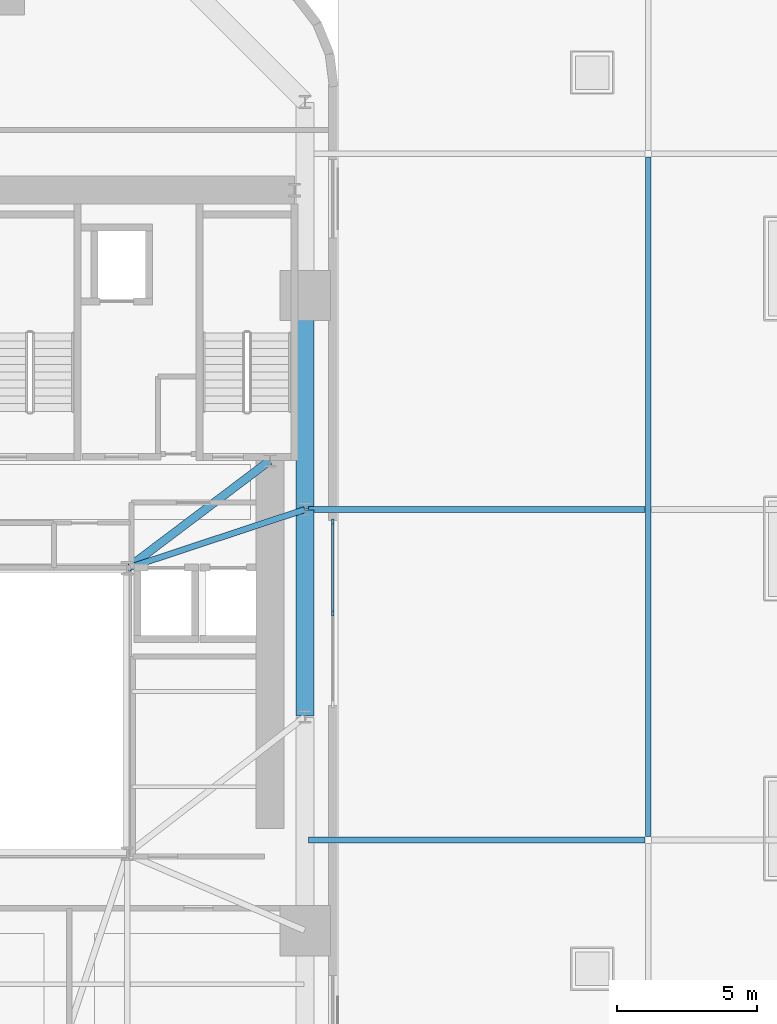
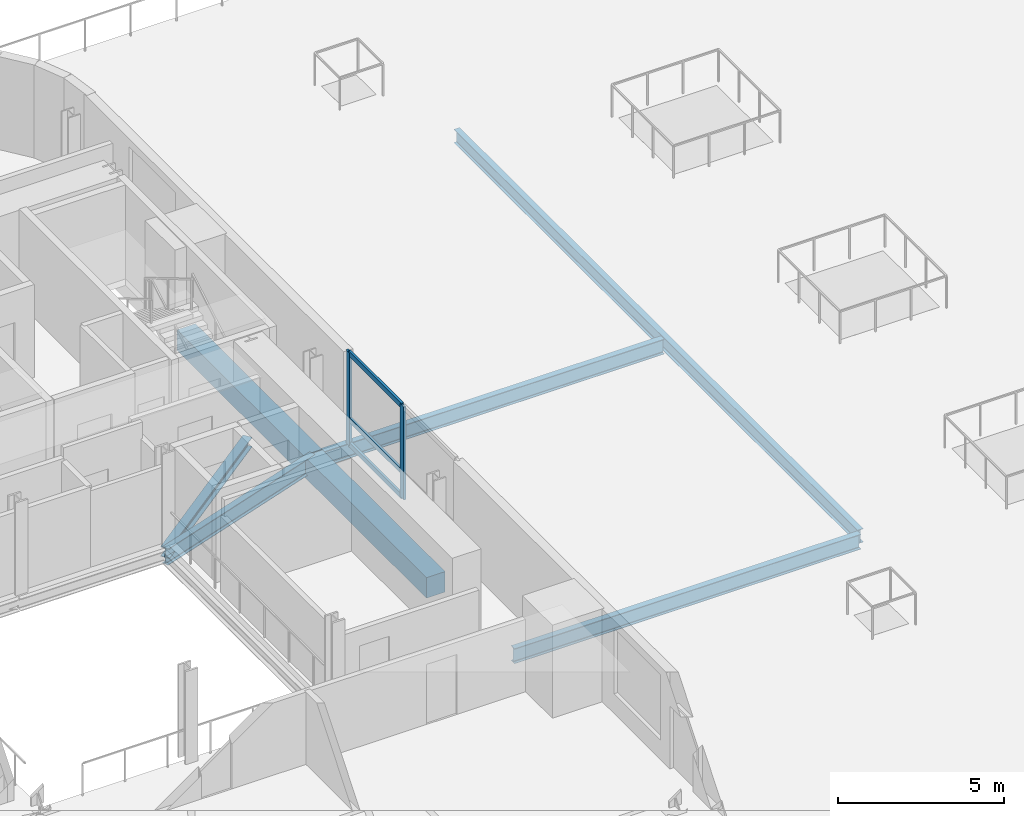
# One storey, part 5 of 18: 7 beams, 5 members, 1 element without a shape of its own.
"""IFC4 building model written with IfcOpenShell, lengths in metres."""

from ifc_helpers import new_model, si_unit, direction, frame, origin, origin_2d, place, context, subcontext, project, spatial, rectangle, i_section, extrude, source, transform, mapped, material, material_profile, profile_set, type_object, element, aggregate, save


model = new_model("IFC4")

# Units and contexts
model_context = context("Model", 3, precision=1e-05, world=origin(), true_north=direction((0.0, 1.0)))
body_context = subcontext(model_context, "Body", "Model", "MODEL_VIEW")
ifc_project = project(units=[si_unit("LENGTHUNIT", "METRE"), si_unit("AREAUNIT", "SQUARE_METRE"), si_unit("VOLUMEUNIT", "CUBIC_METRE"), si_unit("PLANEANGLEUNIT", "RADIAN"), si_unit("MASSUNIT", "GRAM", prefix="KILO")], contexts=[model_context])

# Site, building, storey
site_placement = place(None, origin())
site = spatial("IfcSite", under=ifc_project, at=site_placement, CompositionType="ELEMENT")
building_placement = place(site_placement, origin())
building = spatial("IfcBuilding", under=site, at=building_placement, Name="Vardaveli Station Tower", CompositionType="ELEMENT")
storey_placement = place(building_placement, frame((0.0, 0.0, 27.60009765625)))
storey = spatial("IfcBuildingStorey", under=building, at=storey_placement, Name="L06", CompositionType="ELEMENT", Elevation=27.60009765625)

# Beams
ifc_material_1 = material(Name="Structural steel S355J2", Category="steel")
ifc_material_profile_1 = material_profile(ifc_material_1, i_section(OverallWidth=0.2099609375, OverallDepth=0.550048828125, WebThickness=0.010986328125, FlangeThickness=0.01708984375, FilletRadius=0.02392578125, at=origin_2d()), Name="IPE 550")
ifc_profile_set_1 = profile_set([ifc_material_profile_1], Name="Structural steel S355J2")
beam_type_1 = type_object("IfcBeamType", Name="BM-IPE550", PredefinedType="BEAM", material=ifc_profile_set_1)
shared_shape_1 = source(origin(), body_context, "Body", "SweptSolid", [
    extrude(i_section(OverallWidth=0.2099609375, OverallDepth=0.550048828125, WebThickness=0.010986328125, FlangeThickness=0.01708984375, FilletRadius=0.02392578125, at=origin_2d()), origin(), (0.0, 0.0, 1.0), 12.009765625),
])
for number, where, z_axis, x_axis, name in (
    (1, (47.8701171875, 17.10009765625, -0.53515625), (1.0, 0.0, 0.0), (0.0, 1.0, 0.0), "PRB-L06-EW2-47"),
    (2, (47.8701171875, 28.89990234375, -0.53515625), (1.0, 0.0, 0.0), (0.0, 1.0, 0.0), "PRB-L06-EW3-47"),
):
    element("IfcBeam", number, at=place(storey_placement, frame(where, z_axis=z_axis, x_axis=x_axis)), inside=storey, type_object=beam_type_1, Name=name, PredefinedType="BEAM", context=body_context, shape_type="MappedRepresentation", body=[
        mapped(shared_shape_1, transform((0.0, 0.0, 0.0), scale=1.0)),
    ])
ifc_material_profile_2 = material_profile(ifc_material_1, i_section(OverallWidth=0.199951171875, OverallDepth=0.5, WebThickness=0.01025390625, FlangeThickness=0.01611328125, FilletRadius=0.02099609375, at=origin_2d()), Name="IPE 500")
ifc_profile_set_2 = profile_set([ifc_material_profile_2], Name="Structural steel S355J2")
beam_type_2 = type_object("IfcBeamType", Name="BM-IPE500", PredefinedType="BEAM", material=ifc_profile_set_2)
shared_shape_2 = source(origin(), body_context, "Body", "SweptSolid", [
    extrude(i_section(OverallWidth=0.199951171875, OverallDepth=0.5, WebThickness=0.01025390625, FlangeThickness=0.01611328125, FilletRadius=0.02099609375, at=origin_2d()), origin(), (0.0, 0.0, 1.0), 24.260009765625),
])
beam_1_placement = place(storey_placement, frame((60.0, 17.219970703125, -0.510009765625), z_axis=(0.0, 1.0, 0.0), x_axis=(-1.0, 0.0, 0.0)))
element("IfcBeam", 3, at=beam_1_placement, inside=storey, type_object=beam_type_2, Name="PRB-L06-NS60-2", PredefinedType="BEAM", context=body_context, shape_type="MappedRepresentation", body=[
    mapped(shared_shape_2, transform((0.0, 0.0, 0.0), scale=1.0)),
])
ifc_material_profile_3 = material_profile(ifc_material_1, i_section(OverallWidth=0.300048828125, OverallDepth=0.360107421875, WebThickness=0.012451171875, FlangeThickness=0.0224609375, FilletRadius=0.027099609375, at=origin_2d()), Name="HEB 360")
ifc_profile_set_3 = profile_set([ifc_material_profile_3], Name="Structural steel S355J2")
beam_type_3 = type_object("IfcBeamType", Name="BM-HEB360", PredefinedType="BEAM", material=ifc_profile_set_3)
shared_shape_3 = source(origin(), body_context, "Body", "SweptSolid", [
    extrude(i_section(OverallWidth=0.300048828125, OverallDepth=0.360107421875, WebThickness=0.012451171875, FlangeThickness=0.0224609375, FilletRadius=0.027099609375, at=origin_2d()), origin(), (0.0, 0.0, 1.0), 6.35009765625),
])
beam_2_placement = place(storey_placement, frame((41.416015625, 26.81201171875, -0.420166015625), z_axis=(0.798118337722, 0.602500721154, 0.0), x_axis=(-0.602500721154, 0.798118337722, 0.0)))
element("IfcBeam", 4, at=beam_2_placement, inside=storey, type_object=beam_type_3, Name="CBM-L06-02", PredefinedType="BEAM", context=body_context, shape_type="MappedRepresentation", body=[
    mapped(shared_shape_3, transform((0.0, 0.0, 0.0), scale=1.0)),
])
ifc_material_2 = material(Name="Precast concrete C45/55", Category="concrete")
ifc_material_profile_4 = material_profile(ifc_material_2, rectangle(XDim=0.64990234375, YDim=0.75, at=origin_2d()), Name="LPB 650x750")
ifc_profile_set_4 = profile_set([ifc_material_profile_4], Name="Precast concrete C45/55")
beam_type_4 = type_object("IfcBeamType", Name="BM-LPB-750", PredefinedType="BEAM", material=ifc_profile_set_4)
shared_shape_4 = source(origin(), body_context, "Body", "SweptSolid", [
    extrude(rectangle(XDim=0.64990234375, YDim=0.75, at=origin_2d()), origin(), (0.0, 0.0, 1.0), 7.60009765625),
])
beam_3_placement = place(storey_placement, frame((47.75, 28.919921875, -0.614990234375), z_axis=(0.0, 1.0, 0.0), x_axis=(-1.0, 0.0, 0.0)))
element("IfcBeam", 5, at=beam_3_placement, inside=storey, type_object=beam_type_4, Name="RBM-L06-09", PredefinedType="BEAM", context=body_context, shape_type="MappedRepresentation", body=[
    mapped(shared_shape_4, transform((0.0, 0.0, 0.0), scale=1.0)),
])
shared_shape_5 = source(origin(), body_context, "Body", "SweptSolid", [
    extrude(rectangle(XDim=0.64990234375, YDim=0.75, at=origin_2d()), origin(), (0.0, 0.0, 1.0), 7.35986328125),
])
beam_4_placement = place(storey_placement, frame((47.75, 21.52001953125, -0.614990234375), z_axis=(0.0, 1.0, 0.0), x_axis=(-1.0, 0.0, 0.0)))
element("IfcBeam", 6, at=beam_4_placement, inside=storey, type_object=beam_type_4, Name="RBM-L06-08", PredefinedType="BEAM", context=body_context, shape_type="MappedRepresentation", body=[
    mapped(shared_shape_5, transform((0.0, 0.0, 0.0), scale=1.0)),
])
ifc_material_profile_5 = material_profile(ifc_material_1, i_section(OverallWidth=0.219970703125, OverallDepth=0.60009765625, WebThickness=0.011962890625, FlangeThickness=0.01904296875, FilletRadius=0.02392578125, at=origin_2d()), Name="IPE 600")
ifc_profile_set_5 = profile_set([ifc_material_profile_5], Name="Structural steel S355J2")
beam_type_5 = type_object("IfcBeamType", Name="BM-IPE600", PredefinedType="BEAM", material=ifc_profile_set_5)
shared_shape_6 = source(origin(), body_context, "Body", "SweptSolid", [
    extrude(i_section(OverallWidth=0.219970703125, OverallDepth=0.60009765625, WebThickness=0.011962890625, FlangeThickness=0.01904296875, FilletRadius=0.02392578125, at=origin_2d()), origin(), (0.0, 0.0, 1.0), 6.648193359375),
])
beam_5_placement = place(storey_placement, frame((47.73095703125, 28.893798828125, -0.5400390625), z_axis=(-0.949429779906, -0.313979446824, 0.0), x_axis=(0.313979446824, -0.949429779906, 0.0)))
element("IfcBeam", 7, at=beam_5_placement, inside=storey, type_object=beam_type_5, Name="GBM-L06-07", PredefinedType="BEAM", context=body_context, shape_type="MappedRepresentation", body=[
    mapped(shared_shape_6, transform((0.0, 0.0, 0.0), scale=1.0)),
])

# Curtain wall, members
ifc_material_3 = material(Name="Travertine stone and solar-control glass", Category="masonry")
curtain_wall_type = type_object("IfcCurtainWallType", Name="CW-SYS-2", PredefinedType="NOTDEFINED", material=ifc_material_3)
curtain_wall_placement = place(storey_placement, origin())
curtain_wall = element("IfcCurtainWall", 8, at=curtain_wall_placement, inside=storey, type_object=curtain_wall_type, Name="CW-L06-E", PredefinedType="NOTDEFINED")
ifc_material_4 = material(Name="Anodised aluminium alloy 6063-T6", Category="aluminium")
ifc_material_profile_6 = material_profile(ifc_material_4, rectangle(XDim=0.0849609375, YDim=0.219970703125, at=origin_2d()), Name="CWM 85x220")
ifc_profile_set_6 = profile_set([ifc_material_profile_6], Name="Anodised aluminium alloy 6063-T6")
member_type_1 = type_object("IfcMemberType", Name="CW-SYS-2-MULL", PredefinedType="MULLION", material=ifc_profile_set_6)
shared_shape_7 = source(origin(), body_context, "Body", "SweptSolid", [
    extrude(rectangle(XDim=0.0849609375, YDim=0.219970703125, at=origin_2d()), origin(), (0.0, 0.0, 1.0), 3.409912109375),
])
member_1_placement = place(storey_placement, frame((48.739990234375, 25.199951171875, 0.0), z_axis=(0.0, 0.0, 1.0), x_axis=(-1.0, 0.0, 0.0)))
member_1 = element("IfcMember", 9, at=member_1_placement, type_object=member_type_1, Name="CW-2 mullion 2", PredefinedType="MULLION", context=body_context, shape_type="MappedRepresentation", body=[
    mapped(shared_shape_7, transform((0.0, 0.0, 0.0), scale=1.0)),
])
member_2_placement = place(storey_placement, frame((48.739990234375, 28.45751953125, 0.0), z_axis=(0.0, 0.0, 1.0), x_axis=(-1.0, 0.0, 0.0)))
member_2 = element("IfcMember", 10, at=member_2_placement, type_object=member_type_1, Name="CW-2 mullion 3", PredefinedType="MULLION", context=body_context, shape_type="MappedRepresentation", body=[
    mapped(shared_shape_7, transform((0.0, 0.0, 0.0), scale=1.0)),
])
ifc_material_profile_7 = material_profile(ifc_material_4, rectangle(XDim=0.0849609375, YDim=0.179931640625, at=origin_2d()), Name="CWT 85x180")
ifc_profile_set_7 = profile_set([ifc_material_profile_7], Name="Anodised aluminium alloy 6063-T6")
member_type_2 = type_object("IfcMemberType", Name="CW-SYS-2-TRAN", PredefinedType="NOTDEFINED", material=ifc_profile_set_7)
shared_shape_8 = source(origin(), body_context, "Body", "SweptSolid", [
    extrude(rectangle(XDim=0.0849609375, YDim=0.179931640625, at=origin_2d()), origin(), (0.0, 0.0, 1.0), 3.172607421875),
])
member_3_placement = place(storey_placement, frame((48.739990234375, 25.242431640625, 0.04248046875), z_axis=(0.0, 1.0, 0.0), x_axis=(-1.0, 0.0, 0.0)))
member_3 = element("IfcMember", 11, at=member_3_placement, type_object=member_type_2, Name="CW-2 transom 2.1", ObjectType="TRANSOM", PredefinedType="USERDEFINED", context=body_context, shape_type="MappedRepresentation", body=[
    mapped(shared_shape_8, transform((0.0, 0.0, 0.0), scale=1.0)),
])
member_4_placement = place(storey_placement, frame((48.739990234375, 25.242431640625, 0.949951171875), z_axis=(0.0, 1.0, 0.0), x_axis=(-1.0, 0.0, 0.0)))
member_4 = element("IfcMember", 12, at=member_4_placement, type_object=member_type_2, Name="CW-2 transom 2.2", ObjectType="TRANSOM", PredefinedType="USERDEFINED", context=body_context, shape_type="MappedRepresentation", body=[
    mapped(shared_shape_8, transform((0.0, 0.0, 0.0), scale=1.0)),
])
member_5_placement = place(storey_placement, frame((48.739990234375, 25.242431640625, 3.367431640625), z_axis=(0.0, 1.0, 0.0), x_axis=(-1.0, 0.0, 0.0)))
member_5 = element("IfcMember", 13, at=member_5_placement, type_object=member_type_2, Name="CW-2 transom 2.3", ObjectType="TRANSOM", PredefinedType="USERDEFINED", context=body_context, shape_type="MappedRepresentation", body=[
    mapped(shared_shape_8, transform((0.0, 0.0, 0.0), scale=1.0)),
])
aggregate(curtain_wall, [member_1, member_2, member_3, member_4, member_5])

save(model, "model.ifc")
